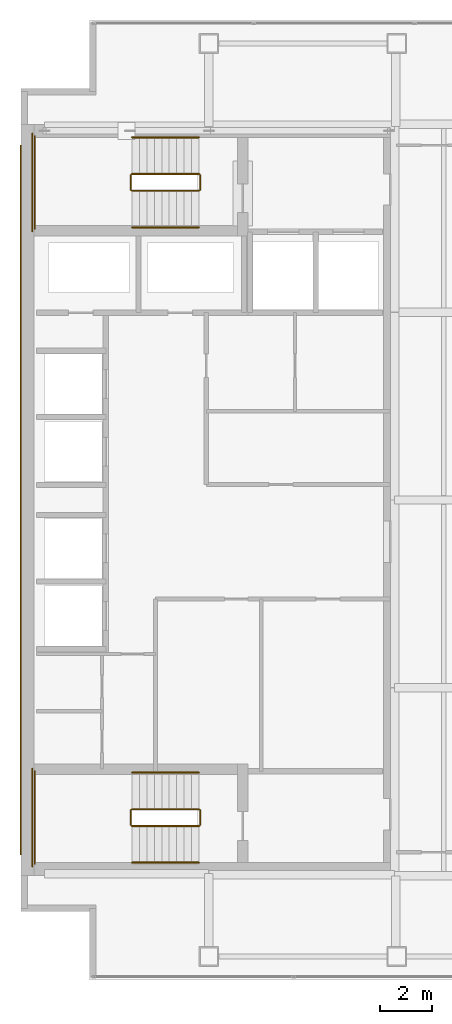
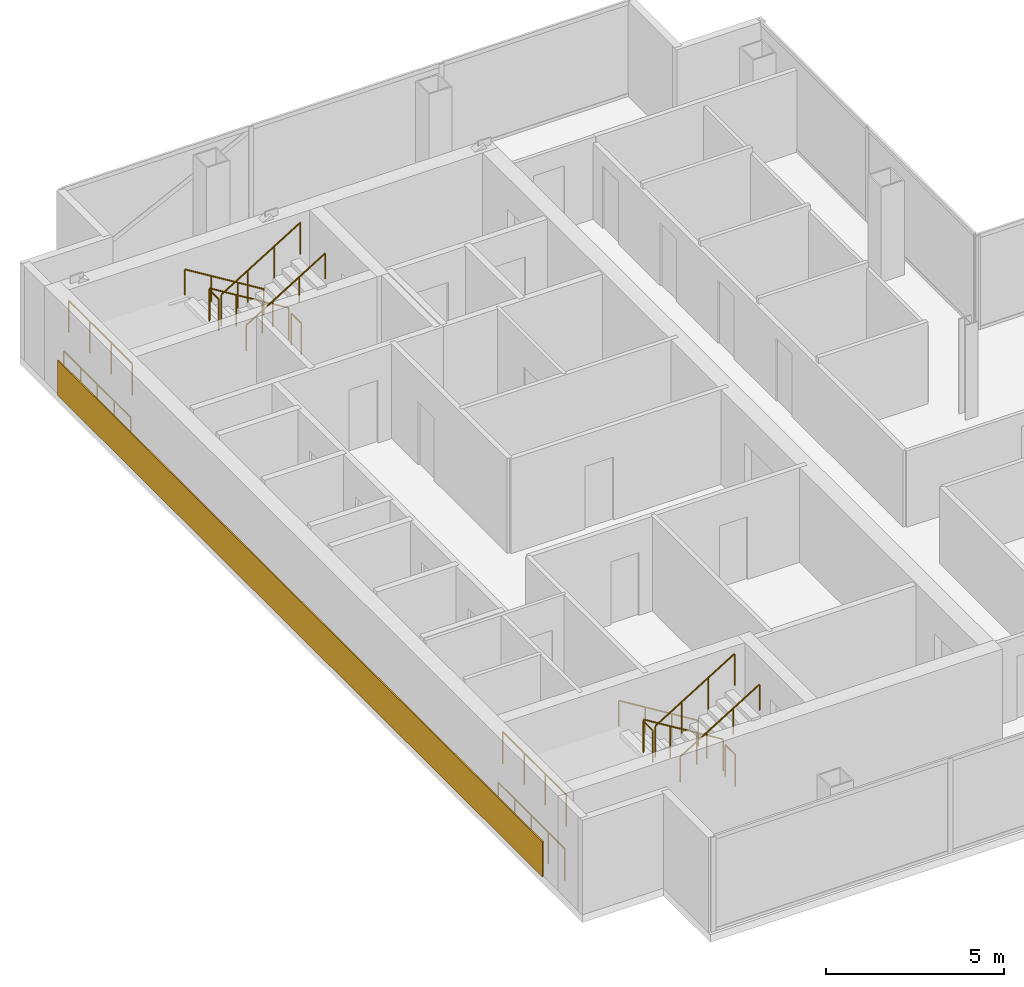
# One storey, part 23 of 23: 16 railings, 1 covering.
"""IFC4 building model written with IfcOpenShell, lengths in metres."""

from ifc_helpers import new_model, si_unit, direction, frame, origin, origin_2d, place, context, subcontext, project, spatial, polyline, circle, outline, extrude, material, layer, layer_set, type_object, element, save


model = new_model("IFC4")

# Units and contexts
model_context = context("Model", 3, precision=1e-05, world=origin(), true_north=direction((0.0, 1.0)))
body_context = subcontext(model_context, "Body", "Model", "MODEL_VIEW")
ifc_project = project(units=[si_unit("LENGTHUNIT", "METRE"), si_unit("AREAUNIT", "SQUARE_METRE"), si_unit("VOLUMEUNIT", "CUBIC_METRE"), si_unit("PLANEANGLEUNIT", "RADIAN"), si_unit("MASSUNIT", "GRAM", prefix="KILO")], contexts=[model_context])

# Site, building, storey
site_placement = place(None, origin())
site = spatial("IfcSite", under=ifc_project, at=site_placement, CompositionType="ELEMENT")
building_placement = place(site_placement, origin())
building = spatial("IfcBuilding", under=site, at=building_placement, Name="Cobrela Telecom Tower", CompositionType="ELEMENT")
storey_placement = place(building_placement, frame((0.0, 0.0, 215.25)))
storey = spatial("IfcBuildingStorey", under=building, at=storey_placement, Name="L55", CompositionType="ELEMENT", Elevation=215.25)

# Covering
ifc_material_1 = material(Name="Bogota Terracotta Architectural Stone", Category="masonry")
ifc_layer = layer(ifc_material_1, 0.0400390625)
ifc_layer_set = layer_set([ifc_layer], Name="Bogota Terracotta Architectural Stone")
covering_type = type_object("IfcCoveringType", Name="COV-CLAD-TERRA", PredefinedType="CLADDING", material=ifc_layer_set)
covering_placement = place(storey_placement, origin())
element("IfcCovering", 1, at=covering_placement, inside=storey, type_object=covering_type, Name="L55 West Core Terracotta Spandrel Cladding Band", PredefinedType="CLADDING", context=body_context, shape_type="SweptSolid", body=[
    extrude(outline(polyline([(-0.0400390625, 8.0), (0.0, 8.0), (0.0, 35.199951171875), (-0.0400390625, 35.199951171875), (-0.0400390625, 8.0)])), origin(), (0.0, 0.0, 1.0), 1.199951171875),
])

# Railings
ifc_material_2 = material(Name="Steel ASTM A36", Category="steel")
railing_type_1 = type_object("IfcRailingType", Name="RAIL-GUARD-1100", PredefinedType="GUARDRAIL", material=ifc_material_2)
railing_1_placement = place(storey_placement, frame((6.820068359375, 34.10009765625, 0.175048828125)))
element("IfcRailing", 2, at=railing_1_placement, inside=storey, type_object=railing_type_1, Name="L55 ST1 stair guard 1", PredefinedType="GUARDRAIL", context=body_context, shape_type="SweptSolid", body=[
    extrude(circle(Radius=0.02392578125, at=origin_2d()), frame((0.0, 0.0, 1.076171875), z_axis=(-0.852195335862, 0.0, 0.523223766217), x_axis=(0.0, -1.0, 0.0)), (0.0, 0.0, 1.0), 3.010009765625),
    extrude(circle(Radius=0.02099609375, at=origin_2d()), origin(), (0.0, 0.0, 1.0), 1.052001953125),
    extrude(circle(Radius=0.02099609375, at=origin_2d()), frame((-0.85498046875, 0.0, 0.52490234375)), (0.0, 0.0, 1.0), 1.052001953125),
    extrude(circle(Radius=0.02099609375, at=origin_2d()), frame((-1.710205078125, 0.0, 1.050048828125)), (0.0, 0.0, 1.0), 1.052001953125),
    extrude(circle(Radius=0.02099609375, at=origin_2d()), frame((-2.565185546875, 0.0, 1.574951171875)), (0.0, 0.0, 1.0), 1.052001953125),
])
railing_2_placement = place(storey_placement, frame((4.205078125, 34.050048828125, 1.75)))
element("IfcRailing", 3, at=railing_2_placement, inside=storey, type_object=railing_type_1, Name="L55 ST1 stair guard 2", PredefinedType="GUARDRAIL", context=body_context, shape_type="SweptSolid", body=[
    extrude(circle(Radius=0.02392578125, at=origin_2d()), frame((0.0, 0.0, 1.076171875), z_axis=(0.0, -1.0, 0.0), x_axis=(1.0, 0.0, 0.0)), (0.0, 0.0, 1.0), 0.550048828125),
    extrude(circle(Radius=0.02099609375, at=origin_2d()), origin(), (0.0, 0.0, 1.0), 1.052001953125),
    extrude(circle(Radius=0.02099609375, at=origin_2d()), frame((0.0, -0.550048828125, 0.0)), (0.0, 0.0, 1.0), 1.052001953125),
])
railing_3_placement = place(storey_placement, frame((0.530029296875, 35.550048828125, 1.75)))
element("IfcRailing", 4, at=railing_3_placement, inside=storey, type_object=railing_type_1, Name="L55 ST1 stair guard 3", PredefinedType="GUARDRAIL", context=body_context, shape_type="SweptSolid", body=[
    extrude(circle(Radius=0.02392578125, at=origin_2d()), frame((0.0, 0.0, 1.076171875), z_axis=(0.0, -1.0, 0.0), x_axis=(1.0, 0.0, 0.0)), (0.0, 0.0, 1.0), 3.550048828125),
    extrude(circle(Radius=0.02099609375, at=origin_2d()), origin(), (0.0, 0.0, 1.0), 1.052001953125),
    extrude(circle(Radius=0.02099609375, at=origin_2d()), frame((0.0, -1.183349609375, 0.0)), (0.0, 0.0, 1.0), 1.052001953125),
    extrude(circle(Radius=0.02099609375, at=origin_2d()), frame((0.0, -2.36669921875, 0.0)), (0.0, 0.0, 1.0), 1.052001953125),
    extrude(circle(Radius=0.02099609375, at=origin_2d()), frame((0.0, -3.550048828125, 0.0)), (0.0, 0.0, 1.0), 1.052001953125),
])
railing_4_placement = place(storey_placement, frame((4.2548828125, 33.449951171875, 1.925048828125)))
element("IfcRailing", 5, at=railing_4_placement, inside=storey, type_object=railing_type_1, Name="L55 ST1 stair guard 4", PredefinedType="GUARDRAIL", context=body_context, shape_type="SweptSolid", body=[
    extrude(circle(Radius=0.02392578125, at=origin_2d()), frame((0.0, 0.0, 1.076171875), z_axis=(0.852195335862, 0.0, 0.523223766217), x_axis=(0.0, 1.0, 0.0)), (0.0, 0.0, 1.0), 3.010009765625),
    extrude(circle(Radius=0.02099609375, at=origin_2d()), origin(), (0.0, 0.0, 1.0), 1.052001953125),
    extrude(circle(Radius=0.02099609375, at=origin_2d()), frame((0.85498046875, 0.0, 0.52490234375)), (0.0, 0.0, 1.0), 1.052001953125),
    extrude(circle(Radius=0.02099609375, at=origin_2d()), frame((1.710205078125, 0.0, 1.050048828125)), (0.0, 0.0, 1.0), 1.052001953125),
    extrude(circle(Radius=0.02099609375, at=origin_2d()), frame((2.565185546875, 0.0, 1.574951171875)), (0.0, 0.0, 1.0), 1.052001953125),
])
railing_5_placement = place(storey_placement, frame((6.8701171875, 34.050048828125, 0.0)))
element("IfcRailing", 6, at=railing_5_placement, inside=storey, type_object=railing_type_1, Name="L55 ST1 stair guard 5", PredefinedType="GUARDRAIL", context=body_context, shape_type="SweptSolid", body=[
    extrude(circle(Radius=0.02392578125, at=origin_2d()), frame((0.0, 0.0, 1.076171875), z_axis=(0.0, -1.0, 0.0), x_axis=(1.0, 0.0, 0.0)), (0.0, 0.0, 1.0), 0.550048828125),
    extrude(circle(Radius=0.02099609375, at=origin_2d()), origin(), (0.0, 0.0, 1.0), 1.052001953125),
    extrude(circle(Radius=0.02099609375, at=origin_2d()), frame((0.0, -0.550048828125, 0.0)), (0.0, 0.0, 1.0), 1.052001953125),
])
railing_6_placement = place(storey_placement, frame((0.429931640625, 35.64990234375, 0.0)))
element("IfcRailing", 7, at=railing_6_placement, inside=storey, type_object=railing_type_1, Name="L55 ST1 stair guard 6", PredefinedType="GUARDRAIL", context=body_context, shape_type="SweptSolid", body=[
    extrude(circle(Radius=0.02392578125, at=origin_2d()), frame((0.0, 0.0, 1.076171875), z_axis=(0.0, -1.0, 0.0), x_axis=(1.0, 0.0, 0.0)), (0.0, 0.0, 1.0), 3.75),
    extrude(circle(Radius=0.02099609375, at=origin_2d()), origin(), (0.0, 0.0, 1.0), 1.052001953125),
    extrude(circle(Radius=0.02099609375, at=origin_2d()), frame((0.0, -0.9375, 0.0)), (0.0, 0.0, 1.0), 1.052001953125),
    extrude(circle(Radius=0.02099609375, at=origin_2d()), frame((0.0, -1.875, 0.0)), (0.0, 0.0, 1.0), 1.052001953125),
    extrude(circle(Radius=0.02099609375, at=origin_2d()), frame((0.0, -2.8125, 0.0)), (0.0, 0.0, 1.0), 1.052001953125),
    extrude(circle(Radius=0.02099609375, at=origin_2d()), frame((0.0, -3.75, 0.0)), (0.0, 0.0, 1.0), 1.052001953125),
])
railing_7_placement = place(storey_placement, frame((6.820068359375, 9.75, 0.175048828125)))
element("IfcRailing", 8, at=railing_7_placement, inside=storey, type_object=railing_type_1, Name="L55 ST2 stair guard 1", PredefinedType="GUARDRAIL", context=body_context, shape_type="SweptSolid", body=[
    extrude(circle(Radius=0.02392578125, at=origin_2d()), frame((0.0, 0.0, 1.076171875), z_axis=(-0.852195335862, 0.0, 0.523223766217), x_axis=(0.0, -1.0, 0.0)), (0.0, 0.0, 1.0), 3.010009765625),
    extrude(circle(Radius=0.02099609375, at=origin_2d()), origin(), (0.0, 0.0, 1.0), 1.052001953125),
    extrude(circle(Radius=0.02099609375, at=origin_2d()), frame((-0.85498046875, 0.0, 0.52490234375)), (0.0, 0.0, 1.0), 1.052001953125),
    extrude(circle(Radius=0.02099609375, at=origin_2d()), frame((-1.710205078125, 0.0, 1.050048828125)), (0.0, 0.0, 1.0), 1.052001953125),
    extrude(circle(Radius=0.02099609375, at=origin_2d()), frame((-2.565185546875, 0.0, 1.574951171875)), (0.0, 0.0, 1.0), 1.052001953125),
])
railing_8_placement = place(storey_placement, frame((4.205078125, 9.699951171875, 1.75)))
element("IfcRailing", 9, at=railing_8_placement, inside=storey, type_object=railing_type_1, Name="L55 ST2 stair guard 2", PredefinedType="GUARDRAIL", context=body_context, shape_type="SweptSolid", body=[
    extrude(circle(Radius=0.02392578125, at=origin_2d()), frame((0.0, 0.0, 1.076171875), z_axis=(0.0, -1.0, 0.0), x_axis=(1.0, 0.0, 0.0)), (0.0, 0.0, 1.0), 0.550048828125),
    extrude(circle(Radius=0.02099609375, at=origin_2d()), origin(), (0.0, 0.0, 1.0), 1.052001953125),
    extrude(circle(Radius=0.02099609375, at=origin_2d()), frame((0.0, -0.550048828125, 0.0)), (0.0, 0.0, 1.0), 1.052001953125),
])
railing_9_placement = place(storey_placement, frame((0.530029296875, 11.199951171875, 1.75)))
element("IfcRailing", 10, at=railing_9_placement, inside=storey, type_object=railing_type_1, Name="L55 ST2 stair guard 3", PredefinedType="GUARDRAIL", context=body_context, shape_type="SweptSolid", body=[
    extrude(circle(Radius=0.02392578125, at=origin_2d()), frame((0.0, 0.0, 1.076171875), z_axis=(0.0, -1.0, 0.0), x_axis=(1.0, 0.0, 0.0)), (0.0, 0.0, 1.0), 3.550048828125),
    extrude(circle(Radius=0.02099609375, at=origin_2d()), origin(), (0.0, 0.0, 1.0), 1.052001953125),
    extrude(circle(Radius=0.02099609375, at=origin_2d()), frame((0.0, -1.183349609375, 0.0)), (0.0, 0.0, 1.0), 1.052001953125),
    extrude(circle(Radius=0.02099609375, at=origin_2d()), frame((0.0, -2.36669921875, 0.0)), (0.0, 0.0, 1.0), 1.052001953125),
    extrude(circle(Radius=0.02099609375, at=origin_2d()), frame((0.0, -3.550048828125, 0.0)), (0.0, 0.0, 1.0), 1.052001953125),
])
railing_10_placement = place(storey_placement, frame((4.2548828125, 9.10009765625, 1.925048828125)))
element("IfcRailing", 11, at=railing_10_placement, inside=storey, type_object=railing_type_1, Name="L55 ST2 stair guard 4", PredefinedType="GUARDRAIL", context=body_context, shape_type="SweptSolid", body=[
    extrude(circle(Radius=0.02392578125, at=origin_2d()), frame((0.0, 0.0, 1.076171875), z_axis=(0.852195335862, 0.0, 0.523223766217), x_axis=(0.0, 1.0, 0.0)), (0.0, 0.0, 1.0), 3.010009765625),
    extrude(circle(Radius=0.02099609375, at=origin_2d()), origin(), (0.0, 0.0, 1.0), 1.052001953125),
    extrude(circle(Radius=0.02099609375, at=origin_2d()), frame((0.85498046875, 0.0, 0.52490234375)), (0.0, 0.0, 1.0), 1.052001953125),
    extrude(circle(Radius=0.02099609375, at=origin_2d()), frame((1.710205078125, 0.0, 1.050048828125)), (0.0, 0.0, 1.0), 1.052001953125),
    extrude(circle(Radius=0.02099609375, at=origin_2d()), frame((2.565185546875, 0.0, 1.574951171875)), (0.0, 0.0, 1.0), 1.052001953125),
])
railing_11_placement = place(storey_placement, frame((6.8701171875, 9.699951171875, 0.0)))
element("IfcRailing", 12, at=railing_11_placement, inside=storey, type_object=railing_type_1, Name="L55 ST2 stair guard 5", PredefinedType="GUARDRAIL", context=body_context, shape_type="SweptSolid", body=[
    extrude(circle(Radius=0.02392578125, at=origin_2d()), frame((0.0, 0.0, 1.076171875), z_axis=(0.0, -1.0, 0.0), x_axis=(1.0, 0.0, 0.0)), (0.0, 0.0, 1.0), 0.550048828125),
    extrude(circle(Radius=0.02099609375, at=origin_2d()), origin(), (0.0, 0.0, 1.0), 1.052001953125),
    extrude(circle(Radius=0.02099609375, at=origin_2d()), frame((0.0, -0.550048828125, 0.0)), (0.0, 0.0, 1.0), 1.052001953125),
])
railing_12_placement = place(storey_placement, frame((0.429931640625, 11.300048828125, 0.0)))
element("IfcRailing", 13, at=railing_12_placement, inside=storey, type_object=railing_type_1, Name="L55 ST2 stair guard 6", PredefinedType="GUARDRAIL", context=body_context, shape_type="SweptSolid", body=[
    extrude(circle(Radius=0.02392578125, at=origin_2d()), frame((0.0, 0.0, 1.076171875), z_axis=(0.0, -1.0, 0.0), x_axis=(1.0, 0.0, 0.0)), (0.0, 0.0, 1.0), 3.75),
    extrude(circle(Radius=0.02099609375, at=origin_2d()), origin(), (0.0, 0.0, 1.0), 1.052001953125),
    extrude(circle(Radius=0.02099609375, at=origin_2d()), frame((0.0, -0.9375, 0.0)), (0.0, 0.0, 1.0), 1.052001953125),
    extrude(circle(Radius=0.02099609375, at=origin_2d()), frame((0.0, -1.875, 0.0)), (0.0, 0.0, 1.0), 1.052001953125),
    extrude(circle(Radius=0.02099609375, at=origin_2d()), frame((0.0, -2.8125, 0.0)), (0.0, 0.0, 1.0), 1.052001953125),
    extrude(circle(Radius=0.02099609375, at=origin_2d()), frame((0.0, -3.75, 0.0)), (0.0, 0.0, 1.0), 1.052001953125),
])
railing_type_2 = type_object("IfcRailingType", Name="RAIL-HAND-920", PredefinedType="HANDRAIL", material=ifc_material_2)
railing_13_placement = place(storey_placement, frame((6.820068359375, 35.5, 0.175048828125)))
element("IfcRailing", 14, at=railing_13_placement, inside=storey, type_object=railing_type_2, Name="L55 ST1 stair handrail 1", PredefinedType="HANDRAIL", context=body_context, shape_type="SweptSolid", body=[
    extrude(circle(Radius=0.02392578125, at=origin_2d()), frame((0.0, 0.0, 0.8759765625), z_axis=(-0.852195335862, 0.0, 0.523223766217), x_axis=(0.0, -1.0, 0.0)), (0.0, 0.0, 1.0), 3.010009765625),
    extrude(circle(Radius=0.02099609375, at=origin_2d()), origin(), (0.0, 0.0, 1.0), 0.851806640625),
    extrude(circle(Radius=0.02099609375, at=origin_2d()), frame((-0.85498046875, 0.0, 0.52490234375)), (0.0, 0.0, 1.0), 0.851806640625),
    extrude(circle(Radius=0.02099609375, at=origin_2d()), frame((-1.710205078125, 0.0, 1.050048828125)), (0.0, 0.0, 1.0), 0.851806640625),
    extrude(circle(Radius=0.02099609375, at=origin_2d()), frame((-2.565185546875, 0.0, 1.574951171875)), (0.0, 0.0, 1.0), 0.851806640625),
])
railing_14_placement = place(storey_placement, frame((4.2548828125, 32.050048828125, 1.925048828125)))
element("IfcRailing", 15, at=railing_14_placement, inside=storey, type_object=railing_type_2, Name="L55 ST1 stair handrail 2", PredefinedType="HANDRAIL", context=body_context, shape_type="SweptSolid", body=[
    extrude(circle(Radius=0.02392578125, at=origin_2d()), frame((0.0, 0.0, 0.8759765625), z_axis=(0.852195335862, 0.0, 0.523223766217), x_axis=(0.0, 1.0, 0.0)), (0.0, 0.0, 1.0), 3.010009765625),
    extrude(circle(Radius=0.02099609375, at=origin_2d()), origin(), (0.0, 0.0, 1.0), 0.851806640625),
    extrude(circle(Radius=0.02099609375, at=origin_2d()), frame((0.85498046875, 0.0, 0.52490234375)), (0.0, 0.0, 1.0), 0.851806640625),
    extrude(circle(Radius=0.02099609375, at=origin_2d()), frame((1.710205078125, 0.0, 1.050048828125)), (0.0, 0.0, 1.0), 0.851806640625),
    extrude(circle(Radius=0.02099609375, at=origin_2d()), frame((2.565185546875, 0.0, 1.574951171875)), (0.0, 0.0, 1.0), 0.851806640625),
])
railing_15_placement = place(storey_placement, frame((6.820068359375, 11.14990234375, 0.175048828125)))
element("IfcRailing", 16, at=railing_15_placement, inside=storey, type_object=railing_type_2, Name="L55 ST2 stair handrail 1", PredefinedType="HANDRAIL", context=body_context, shape_type="SweptSolid", body=[
    extrude(circle(Radius=0.02392578125, at=origin_2d()), frame((0.0, 0.0, 0.8759765625), z_axis=(-0.852195335862, 0.0, 0.523223766217), x_axis=(0.0, -1.0, 0.0)), (0.0, 0.0, 1.0), 3.010009765625),
    extrude(circle(Radius=0.02099609375, at=origin_2d()), origin(), (0.0, 0.0, 1.0), 0.851806640625),
    extrude(circle(Radius=0.02099609375, at=origin_2d()), frame((-0.85498046875, 0.0, 0.52490234375)), (0.0, 0.0, 1.0), 0.851806640625),
    extrude(circle(Radius=0.02099609375, at=origin_2d()), frame((-1.710205078125, 0.0, 1.050048828125)), (0.0, 0.0, 1.0), 0.851806640625),
    extrude(circle(Radius=0.02099609375, at=origin_2d()), frame((-2.565185546875, 0.0, 1.574951171875)), (0.0, 0.0, 1.0), 0.851806640625),
])
railing_16_placement = place(storey_placement, frame((4.2548828125, 7.699951171875, 1.925048828125)))
element("IfcRailing", 17, at=railing_16_placement, inside=storey, type_object=railing_type_2, Name="L55 ST2 stair handrail 2", PredefinedType="HANDRAIL", context=body_context, shape_type="SweptSolid", body=[
    extrude(circle(Radius=0.02392578125, at=origin_2d()), frame((0.0, 0.0, 0.8759765625), z_axis=(0.852195335862, 0.0, 0.523223766217), x_axis=(0.0, 1.0, 0.0)), (0.0, 0.0, 1.0), 3.010009765625),
    extrude(circle(Radius=0.02099609375, at=origin_2d()), origin(), (0.0, 0.0, 1.0), 0.851806640625),
    extrude(circle(Radius=0.02099609375, at=origin_2d()), frame((0.85498046875, 0.0, 0.52490234375)), (0.0, 0.0, 1.0), 0.851806640625),
    extrude(circle(Radius=0.02099609375, at=origin_2d()), frame((1.710205078125, 0.0, 1.050048828125)), (0.0, 0.0, 1.0), 0.851806640625),
    extrude(circle(Radius=0.02099609375, at=origin_2d()), frame((2.565185546875, 0.0, 1.574951171875)), (0.0, 0.0, 1.0), 0.851806640625),
])

save(model, "model.ifc")
